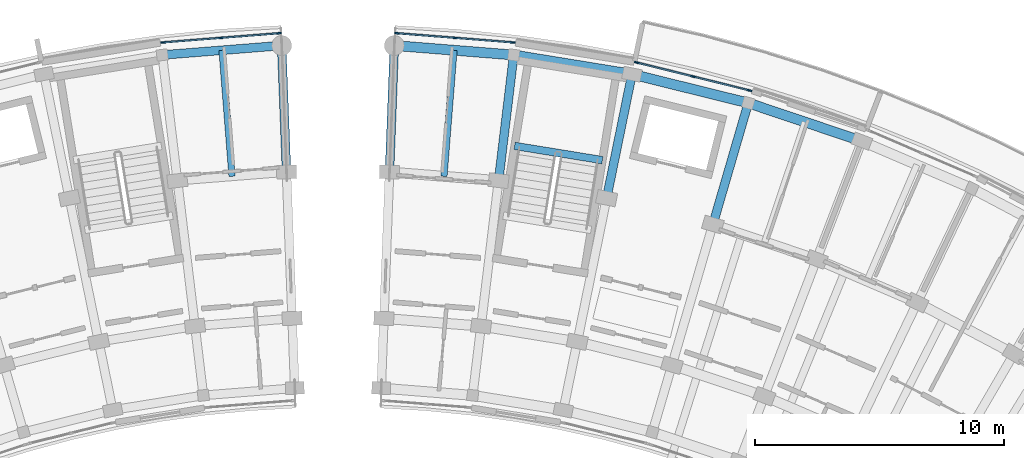
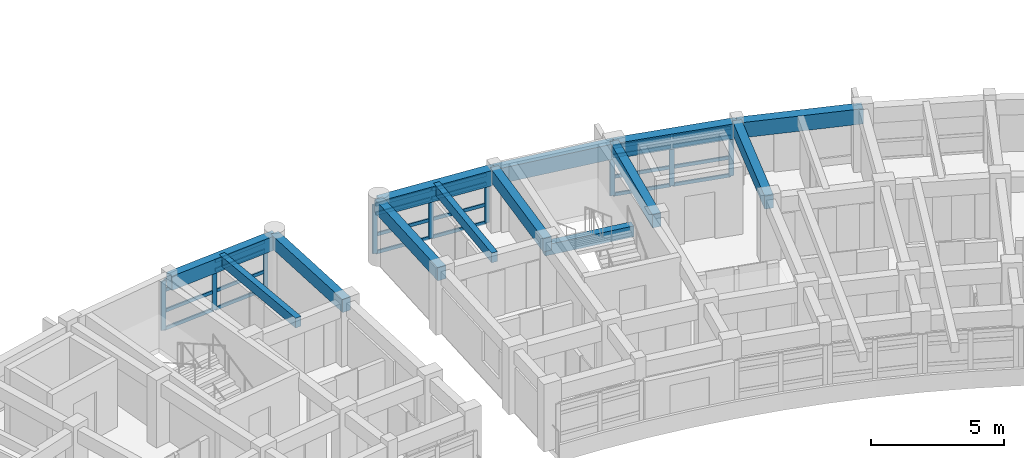
# One storey, part 8 of 55: 33 members, 13 beams, 3 elements without a shape of their own.
"""IFC4 building model written with IfcOpenShell, lengths in metres."""

from ifc_helpers import new_model, si_unit, direction, frame, origin, origin_2d, place, context, subcontext, project, spatial, rectangle, extrude, material, material_profile, profile_set, type_object, element, aggregate, save


model = new_model("IFC4")

# Units and contexts
model_context = context("Model", 3, precision=1e-05, world=origin(), true_north=direction((0.0, 1.0)))
body_context = subcontext(model_context, "Body", "Model", "MODEL_VIEW")
ifc_project = project(units=[si_unit("LENGTHUNIT", "METRE"), si_unit("AREAUNIT", "SQUARE_METRE"), si_unit("VOLUMEUNIT", "CUBIC_METRE"), si_unit("PLANEANGLEUNIT", "RADIAN"), si_unit("MASSUNIT", "GRAM", prefix="KILO")], contexts=[model_context])

# Site, building, storey
site_placement = place(None, origin())
site = spatial("IfcSite", under=ifc_project, at=site_placement, CompositionType="ELEMENT")
building_placement = place(site_placement, origin())
building = spatial("IfcBuilding", under=site, at=building_placement, Name="Zimvara Arc Housing Community", CompositionType="ELEMENT")
storey_placement = place(building_placement, frame((0.0, 0.0, 14.300048828125)))
storey = spatial("IfcBuildingStorey", under=building, at=storey_placement, Name="L04", CompositionType="ELEMENT", Elevation=14.300048828125)

# Beams
ifc_material_1 = material(Name="Concrete C40/50", Category="concrete")
ifc_material_profile_1 = material_profile(ifc_material_1, rectangle(XDim=0.25, YDim=0.449951171875, at=origin_2d()), Name="RC 250x450")
ifc_profile_set_1 = profile_set([ifc_material_profile_1], Name="Concrete C40/50")
beam_type_1 = type_object("IfcBeamType", Name="BM-RC-250x450", PredefinedType="JOIST", material=ifc_profile_set_1)
for number, where, z_axis, x_axis, name in (
    (1, (40.7451171875, 98.08642578125, 2.635009765625), (-0.079171686291, 0.99686099537, 0.0), (-0.99686099537, -0.079171686291, 0.0), "bm:blkA:L04:joist:b9"),
    (2, (49.2548828125, 98.08642578125, 2.635009765625), (0.079171686291, 0.99686099537, 0.0), (-0.99686099537, 0.079171686291, 0.0), "bm:blkB:L04:joist:b0"),
):
    element("IfcBeam", number, at=place(storey_placement, frame(where, z_axis=z_axis, x_axis=x_axis)), inside=storey, type_object=beam_type_1, Name=name, PredefinedType="JOIST", context=body_context, shape_type="SweptSolid", body=[
        extrude(rectangle(XDim=0.25, YDim=0.449951171875, at=origin_2d()), origin(), (0.0, 0.0, 1.0), 5.07568359375),
    ])
ifc_material_2 = material(Name="Concrete C40/50", Category="concrete")
ifc_material_profile_2 = material_profile(ifc_material_2, rectangle(XDim=0.300048828125, YDim=0.5, at=origin_2d()), Name="RC 300x500")
ifc_profile_set_2 = profile_set([ifc_material_profile_2], Name="Concrete C40/50")
beam_type_2 = type_object("IfcBeamType", Name="BM-RC-300x500", PredefinedType="BEAM", material=ifc_profile_set_2)
beam_1_placement = place(storey_placement, frame((55.612060546875, 98.7353515625, 1.300048828125), z_axis=(-0.987080057935, 0.160227835371, 0.0), x_axis=(-0.160227835371, -0.987080057935, 0.0)))
element("IfcBeam", 3, at=beam_1_placement, inside=storey, type_object=beam_type_2, Name="bm:stair_trim:ST-B1:L04:mid", PredefinedType="BEAM", context=body_context, shape_type="SweptSolid", body=[
    extrude(rectangle(XDim=0.300048828125, YDim=0.5, at=origin_2d()), origin(), (0.0, 0.0, 1.0), 3.570068359375),
])
ifc_material_3 = material(Name="Concrete C40/50", Category="concrete")
ifc_material_profile_3 = material_profile(ifc_material_3, rectangle(XDim=0.35009765625, YDim=0.60009765625, at=origin_2d()), Name="RC 350x600")
ifc_profile_set_3 = profile_set([ifc_material_profile_3], Name="Concrete C40/50")
beam_type_3 = type_object("IfcBeamType", Name="BM-RC-350x600", PredefinedType="BEAM", material=ifc_profile_set_3)
for number, where, z_axis, x_axis, name in (
    (4, (42.934814453125, 98.26025390625, 2.56005859375), (-0.038398054907, 0.999262522753, 0.0), (-0.999262522753, -0.038398054907, 0.0), "bm:blkA:L04:rad:b10:r23"),
    (5, (47.065185546875, 98.26025390625, 2.56005859375), (0.038398054907, 0.999262522753, 0.0), (-0.999262522753, 0.038398054907, 0.0), "bm:blkB:L04:rad:b0:r23"),
    (6, (51.44482421875, 97.91259765625, 2.56005859375), (0.119762990499, 0.99280251113, 0.0), (-0.99280251113, 0.119762990499, 0.0), "bm:blkB:L04:rad:b1:r23"),
):
    element("IfcBeam", number, at=place(storey_placement, frame(where, z_axis=z_axis, x_axis=x_axis)), inside=storey, type_object=beam_type_3, Name=name, PredefinedType="BEAM", context=body_context, shape_type="SweptSolid", body=[
        extrude(rectangle(XDim=0.35009765625, YDim=0.60009765625, at=origin_2d()), origin(), (0.0, 0.0, 1.0), 5.080078125),
    ])
for number, where, z_axis, x_axis, name in (
    (7, (55.78125, 97.208740234375, 2.56005859375), (0.200411962389, 0.97971171542, 0.0), (-0.97971171542, 0.200411962389, 0.0), "bm:blkB:L04:rad:b2:r23"),
    (8, (60.0458984375, 96.1533203125, 2.56005859375), (0.279662254096, 0.960098444762, 0.0), (-0.960098444762, 0.279662254096, 0.0), "bm:blkB:L04:rad:b3:r23"),
):
    element("IfcBeam", number, at=place(storey_placement, frame(where, z_axis=z_axis, x_axis=x_axis)), inside=storey, type_object=beam_type_3, Name=name, PredefinedType="BEAM", context=body_context, shape_type="SweptSolid", body=[
        extrude(rectangle(XDim=0.35009765625, YDim=0.60009765625, at=origin_2d()), origin(), (0.0, 0.0, 1.0), 5.079833984375),
    ])
ifc_material_4 = material(Name="Concrete C40/50", Category="concrete")
ifc_material_profile_4 = material_profile(ifc_material_4, rectangle(XDim=0.35009765625, YDim=0.64990234375, at=origin_2d()), Name="RC 350x650")
ifc_profile_set_4 = profile_set([ifc_material_profile_4], Name="Concrete C40/50")
beam_type_4 = type_object("IfcBeamType", Name="BM-RC-350x650", PredefinedType="BEAM", material=ifc_profile_set_4)
beam_2_placement = place(storey_placement, frame((37.94677734375, 102.9560546875, 2.534912109375), z_axis=(0.996861768207, 0.0791619548, 0.0), x_axis=(-0.0791619548, 0.996861768207, 0.0)))
element("IfcBeam", 9, at=beam_2_placement, inside=storey, type_object=beam_type_4, Name="bm:blkA:L04:chord:r3:b9", PredefinedType="BEAM", context=body_context, shape_type="SweptSolid", body=[
    extrude(rectangle(XDim=0.35009765625, YDim=0.64990234375, at=origin_2d()), origin(), (0.0, 0.0, 1.0), 4.80810546875),
])
ifc_material_5 = material(Name="Concrete C40/50", Category="concrete")
ifc_material_profile_5 = material_profile(ifc_material_5, rectangle(XDim=0.39990234375, YDim=0.699951171875, at=origin_2d()), Name="RC 400x700")
ifc_profile_set_5 = profile_set([ifc_material_profile_5], Name="Concrete C40/50")
beam_type_5 = type_object("IfcBeamType", Name="BM-RC-400x700", PredefinedType="BEAM", material=ifc_profile_set_5)
beam_3_placement = place(storey_placement, frame((47.26025390625, 103.336669921875, 2.510009765625), z_axis=(0.996861768207, -0.0791619548, 0.0), x_axis=(0.0791619548, 0.996861768207, 0.0)))
element("IfcBeam", 10, at=beam_3_placement, inside=storey, type_object=beam_type_5, Name="bm:blkB:L04:chord:r3:b0", PredefinedType="BEAM", context=body_context, shape_type="SweptSolid", body=[
    extrude(rectangle(XDim=0.39990234375, YDim=0.699951171875, at=origin_2d()), origin(), (0.0, 0.0, 1.0), 4.80810546875),
])
beam_4_placement = place(storey_placement, frame((52.05322265625, 102.9560546875, 2.510009765625), z_axis=(0.987076839731, -0.160247659784, 0.0), x_axis=(0.160247659784, 0.987076839731, 0.0)))
element("IfcBeam", 11, at=beam_4_placement, inside=storey, type_object=beam_type_5, Name="bm:blkB:L04:chord:r3:b1", PredefinedType="BEAM", context=body_context, shape_type="SweptSolid", body=[
    extrude(rectangle(XDim=0.39990234375, YDim=0.699951171875, at=origin_2d()), origin(), (0.0, 0.0, 1.0), 4.808349609375),
])
beam_5_placement = place(storey_placement, frame((56.79931640625, 102.185546875, 2.510009765625), z_axis=(0.970716235341, -0.240229037474, 0.0), x_axis=(0.240229037474, 0.970716235341, 0.0)))
element("IfcBeam", 12, at=beam_5_placement, inside=storey, type_object=beam_type_5, Name="bm:blkB:L04:chord:r3:b2", PredefinedType="BEAM", context=body_context, shape_type="SweptSolid", body=[
    extrude(rectangle(XDim=0.39990234375, YDim=0.699951171875, at=origin_2d()), origin(), (0.0, 0.0, 1.0), 4.80810546875),
])
beam_6_placement = place(storey_placement, frame((61.466552734375, 101.030517578125, 2.510009765625), z_axis=(0.947877948153, -0.31863363822, 0.0), x_axis=(0.31863363822, 0.947877948153, 0.0)))
element("IfcBeam", 13, at=beam_6_placement, inside=storey, type_object=beam_type_5, Name="bm:blkB:L04:chord:r3:b3", PredefinedType="BEAM", context=body_context, shape_type="SweptSolid", body=[
    extrude(rectangle(XDim=0.39990234375, YDim=0.699951171875, at=origin_2d()), origin(), (0.0, 0.0, 1.0), 4.807861328125),
])

# Curtain wall, members
ifc_material_6 = material(Name="Anodised Aluminium AW-6063", Category="aluminium")
curtain_wall_type_1 = type_object("IfcCurtainWallType", Name="CW-SYS-01", PredefinedType="USERDEFINED", material=ifc_material_6)
curtain_wall_1_placement = place(storey_placement, origin())
curtain_wall_1 = element("IfcCurtainWall", 14, at=curtain_wall_1_placement, inside=storey, type_object=curtain_wall_type_1, Name="cw:blkA:L04:out:b9", ObjectType="CURTAIN WALL", PredefinedType="USERDEFINED")
ifc_material_7 = material(Name="Anodised Aluminium AW-6063", Category="aluminium")
ifc_material_profile_6 = material_profile(ifc_material_7, rectangle(XDim=0.06494140625, YDim=0.195068359375, at=origin_2d()), Name="ALU 65x195")
ifc_profile_set_6 = profile_set([ifc_material_profile_6], Name="Anodised Aluminium AW-6063")
member_type_1 = type_object("IfcMemberType", Name="CWM-65x180", PredefinedType="MULLION", material=ifc_profile_set_6)
member_1_placement = place(storey_placement, frame((37.97900390625, 103.459716796875, 0.0), z_axis=(0.0, 0.0, 1.0), x_axis=(-0.079153759607, 0.996862418963, 0.0)))
member_1 = element("IfcMember", 15, at=member_1_placement, type_object=member_type_1, Name="CW01 mullion 1", PredefinedType="MULLION", context=body_context, shape_type="SweptSolid", body=[
    extrude(rectangle(XDim=0.06494140625, YDim=0.195068359375, at=origin_2d()), origin(), (0.0, 0.0, 1.0), 2.25),
])
member_2_placement = place(storey_placement, frame((40.3037109375, 103.644287109375, 0.0), z_axis=(0.0, 0.0, 1.0), x_axis=(-0.079153759607, 0.996862418963, 0.0)))
member_2 = element("IfcMember", 16, at=member_2_placement, type_object=member_type_1, Name="CW01 mullion 2", PredefinedType="MULLION", context=body_context, shape_type="SweptSolid", body=[
    extrude(rectangle(XDim=0.06494140625, YDim=0.195068359375, at=origin_2d()), origin(), (0.0, 0.0, 1.0), 2.25),
])
member_3_placement = place(storey_placement, frame((42.62841796875, 103.828857421875, 0.0), z_axis=(0.0, 0.0, 1.0), x_axis=(-0.079153759607, 0.996862418963, 0.0)))
member_3 = element("IfcMember", 17, at=member_3_placement, type_object=member_type_1, Name="CW01 mullion 3", PredefinedType="MULLION", context=body_context, shape_type="SweptSolid", body=[
    extrude(rectangle(XDim=0.06494140625, YDim=0.195068359375, at=origin_2d()), origin(), (0.0, 0.0, 1.0), 2.25),
])

ifc_material_8 = material(Name="Anodised Aluminium AW-6063", Category="aluminium")
curtain_wall_type_2 = type_object("IfcCurtainWallType", Name="CW-SYS-05", PredefinedType="USERDEFINED", material=ifc_material_8)
curtain_wall_2_placement = place(storey_placement, origin())
curtain_wall_2 = element("IfcCurtainWall", 18, at=curtain_wall_2_placement, inside=storey, type_object=curtain_wall_type_2, Name="cw:blkB:L04:out:b0", ObjectType="CURTAIN WALL", PredefinedType="USERDEFINED")
member_4_placement = place(storey_placement, frame((47.37158203125, 103.828857421875, 0.0), z_axis=(0.0, 0.0, 1.0), x_axis=(0.079153759607, 0.996862418963, 0.0)))
member_4 = element("IfcMember", 19, at=member_4_placement, type_object=member_type_1, Name="CW05 mullion 1", PredefinedType="MULLION", context=body_context, shape_type="SweptSolid", body=[
    extrude(rectangle(XDim=0.06494140625, YDim=0.195068359375, at=origin_2d()), origin(), (0.0, 0.0, 1.0), 2.25),
])
member_5_placement = place(storey_placement, frame((49.6962890625, 103.644287109375, 0.0), z_axis=(0.0, 0.0, 1.0), x_axis=(0.079153759607, 0.996862418963, 0.0)))
member_5 = element("IfcMember", 20, at=member_5_placement, type_object=member_type_1, Name="CW05 mullion 2", PredefinedType="MULLION", context=body_context, shape_type="SweptSolid", body=[
    extrude(rectangle(XDim=0.06494140625, YDim=0.195068359375, at=origin_2d()), origin(), (0.0, 0.0, 1.0), 2.25),
])
member_6_placement = place(storey_placement, frame((52.02099609375, 103.459716796875, 0.0), z_axis=(0.0, 0.0, 1.0), x_axis=(0.079153759607, 0.996862418963, 0.0)))
member_6 = element("IfcMember", 21, at=member_6_placement, type_object=member_type_1, Name="CW05 mullion 3", PredefinedType="MULLION", context=body_context, shape_type="SweptSolid", body=[
    extrude(rectangle(XDim=0.06494140625, YDim=0.195068359375, at=origin_2d()), origin(), (0.0, 0.0, 1.0), 2.25),
])

ifc_material_9 = material(Name="Anodised Aluminium AW-6063", Category="aluminium")
curtain_wall_type_3 = type_object("IfcCurtainWallType", Name="CW-SYS-07", PredefinedType="USERDEFINED", material=ifc_material_9)
curtain_wall_3_placement = place(storey_placement, origin())
curtain_wall_3 = element("IfcCurtainWall", 22, at=curtain_wall_3_placement, inside=storey, type_object=curtain_wall_type_3, Name="cw:blkB:L04:out:b2", ObjectType="CURTAIN WALL", PredefinedType="USERDEFINED")
member_7_placement = place(storey_placement, frame((56.9892578125, 102.6533203125, 0.0), z_axis=(0.0, 0.0, 1.0), x_axis=(0.240229711131, 0.970716068627, 0.0)))
member_7 = element("IfcMember", 23, at=member_7_placement, type_object=member_type_1, Name="CW07 mullion 1", PredefinedType="MULLION", context=body_context, shape_type="SweptSolid", body=[
    extrude(rectangle(XDim=0.06494140625, YDim=0.195068359375, at=origin_2d()), origin(), (0.0, 0.0, 1.0), 2.25),
])
member_8_placement = place(storey_placement, frame((59.2529296875, 102.093017578125, 0.0), z_axis=(0.0, 0.0, 1.0), x_axis=(0.240229711131, 0.970716068627, 0.0)))
member_8 = element("IfcMember", 24, at=member_8_placement, type_object=member_type_1, Name="CW07 mullion 2", PredefinedType="MULLION", context=body_context, shape_type="SweptSolid", body=[
    extrude(rectangle(XDim=0.06494140625, YDim=0.195068359375, at=origin_2d()), origin(), (0.0, 0.0, 1.0), 2.25),
])
member_9_placement = place(storey_placement, frame((61.5166015625, 101.532958984375, 0.0), z_axis=(0.0, 0.0, 1.0), x_axis=(0.240229711131, 0.970716068627, 0.0)))
member_9 = element("IfcMember", 25, at=member_9_placement, type_object=member_type_1, Name="CW07 mullion 3", PredefinedType="MULLION", context=body_context, shape_type="SweptSolid", body=[
    extrude(rectangle(XDim=0.06494140625, YDim=0.195068359375, at=origin_2d()), origin(), (0.0, 0.0, 1.0), 2.25),
])

# Member
ifc_material_10 = material(Name="Anodised Aluminium AW-6063", Category="aluminium")
ifc_material_profile_7 = material_profile(ifc_material_10, rectangle(XDim=0.06494140625, YDim=0.155029296875, at=origin_2d()), Name="ALU 65x155")
ifc_profile_set_7 = profile_set([ifc_material_profile_7], Name="Anodised Aluminium AW-6063")
member_type_2 = type_object("IfcMemberType", Name="CWT-65x140", PredefinedType="USERDEFINED", material=ifc_profile_set_7)
member_10_placement = place(storey_placement, frame((38.011474609375, 103.46240234375, 0.032470703125), z_axis=(0.996862021022, 0.079158771116, 0.0), x_axis=(-0.079158771116, 0.996862021022, 0.0)))
member_10 = element("IfcMember", 26, at=member_10_placement, type_object=member_type_2, Name="CW01 transom 1.1", ObjectType="TRANSOM", PredefinedType="USERDEFINED", context=body_context, shape_type="SweptSolid", body=[
    extrude(rectangle(XDim=0.06494140625, YDim=0.155029296875, at=origin_2d()), origin(), (0.0, 0.0, 1.0), 2.266845703125),
])

member_11_placement = place(storey_placement, frame((38.011474609375, 103.46240234375, 0.849853515625), z_axis=(0.996862021022, 0.079158771116, 0.0), x_axis=(-0.079158771116, 0.996862021022, 0.0)))
member_11 = element("IfcMember", 27, at=member_11_placement, type_object=member_type_2, Name="CW01 transom 1.2", ObjectType="TRANSOM", PredefinedType="USERDEFINED", context=body_context, shape_type="SweptSolid", body=[
    extrude(rectangle(XDim=0.06494140625, YDim=0.155029296875, at=origin_2d()), origin(), (0.0, 0.0, 1.0), 2.266845703125),
])

member_12_placement = place(storey_placement, frame((38.011474609375, 103.46240234375, 1.800048828125), z_axis=(0.996862021022, 0.079158771116, 0.0), x_axis=(-0.079158771116, 0.996862021022, 0.0)))
member_12 = element("IfcMember", 28, at=member_12_placement, type_object=member_type_2, Name="CW01 transom 1.3", ObjectType="TRANSOM", PredefinedType="USERDEFINED", context=body_context, shape_type="SweptSolid", body=[
    extrude(rectangle(XDim=0.06494140625, YDim=0.155029296875, at=origin_2d()), origin(), (0.0, 0.0, 1.0), 2.266845703125),
])

member_13_placement = place(storey_placement, frame((38.011474609375, 103.46240234375, 2.217529296875), z_axis=(0.996862021022, 0.079158771116, 0.0), x_axis=(-0.079158771116, 0.996862021022, 0.0)))
member_13 = element("IfcMember", 29, at=member_13_placement, type_object=member_type_2, Name="CW01 transom 1.4", ObjectType="TRANSOM", PredefinedType="USERDEFINED", context=body_context, shape_type="SweptSolid", body=[
    extrude(rectangle(XDim=0.06494140625, YDim=0.155029296875, at=origin_2d()), origin(), (0.0, 0.0, 1.0), 2.266845703125),
])

member_14_placement = place(storey_placement, frame((40.336181640625, 103.64697265625, 0.032470703125), z_axis=(0.996862021022, 0.079158771116, 0.0), x_axis=(-0.079158771116, 0.996862021022, 0.0)))
member_14 = element("IfcMember", 30, at=member_14_placement, type_object=member_type_2, Name="CW01 transom 2.1", ObjectType="TRANSOM", PredefinedType="USERDEFINED", context=body_context, shape_type="SweptSolid", body=[
    extrude(rectangle(XDim=0.06494140625, YDim=0.155029296875, at=origin_2d()), origin(), (0.0, 0.0, 1.0), 2.266845703125),
])

member_15_placement = place(storey_placement, frame((40.336181640625, 103.64697265625, 0.849853515625), z_axis=(0.996862021022, 0.079158771116, 0.0), x_axis=(-0.079158771116, 0.996862021022, 0.0)))
member_15 = element("IfcMember", 31, at=member_15_placement, type_object=member_type_2, Name="CW01 transom 2.2", ObjectType="TRANSOM", PredefinedType="USERDEFINED", context=body_context, shape_type="SweptSolid", body=[
    extrude(rectangle(XDim=0.06494140625, YDim=0.155029296875, at=origin_2d()), origin(), (0.0, 0.0, 1.0), 2.266845703125),
])

member_16_placement = place(storey_placement, frame((40.336181640625, 103.64697265625, 1.800048828125), z_axis=(0.996862021022, 0.079158771116, 0.0), x_axis=(-0.079158771116, 0.996862021022, 0.0)))
member_16 = element("IfcMember", 32, at=member_16_placement, type_object=member_type_2, Name="CW01 transom 2.3", ObjectType="TRANSOM", PredefinedType="USERDEFINED", context=body_context, shape_type="SweptSolid", body=[
    extrude(rectangle(XDim=0.06494140625, YDim=0.155029296875, at=origin_2d()), origin(), (0.0, 0.0, 1.0), 2.266845703125),
])

member_17_placement = place(storey_placement, frame((40.336181640625, 103.64697265625, 2.217529296875), z_axis=(0.996862021022, 0.079158771116, 0.0), x_axis=(-0.079158771116, 0.996862021022, 0.0)))
member_17 = element("IfcMember", 33, at=member_17_placement, type_object=member_type_2, Name="CW01 transom 2.4", ObjectType="TRANSOM", PredefinedType="USERDEFINED", context=body_context, shape_type="SweptSolid", body=[
    extrude(rectangle(XDim=0.06494140625, YDim=0.155029296875, at=origin_2d()), origin(), (0.0, 0.0, 1.0), 2.266845703125),
])

aggregate(curtain_wall_1, [member_1, member_2, member_3, member_10, member_11, member_12, member_13, member_14, member_15, member_16, member_17])

member_18_placement = place(storey_placement, frame((47.404052734375, 103.826416015625, 0.032470703125), z_axis=(0.996862021022, -0.079158771116, 0.0), x_axis=(0.079158771116, 0.996862021022, 0.0)))
member_18 = element("IfcMember", 34, at=member_18_placement, type_object=member_type_2, Name="CW05 transom 1.1", ObjectType="TRANSOM", PredefinedType="USERDEFINED", context=body_context, shape_type="SweptSolid", body=[
    extrude(rectangle(XDim=0.06494140625, YDim=0.155029296875, at=origin_2d()), origin(), (0.0, 0.0, 1.0), 2.266845703125),
])

member_19_placement = place(storey_placement, frame((47.404052734375, 103.826416015625, 0.849853515625), z_axis=(0.996862021022, -0.079158771116, 0.0), x_axis=(0.079158771116, 0.996862021022, 0.0)))
member_19 = element("IfcMember", 35, at=member_19_placement, type_object=member_type_2, Name="CW05 transom 1.2", ObjectType="TRANSOM", PredefinedType="USERDEFINED", context=body_context, shape_type="SweptSolid", body=[
    extrude(rectangle(XDim=0.06494140625, YDim=0.155029296875, at=origin_2d()), origin(), (0.0, 0.0, 1.0), 2.266845703125),
])

member_20_placement = place(storey_placement, frame((47.404052734375, 103.826416015625, 1.800048828125), z_axis=(0.996862021022, -0.079158771116, 0.0), x_axis=(0.079158771116, 0.996862021022, 0.0)))
member_20 = element("IfcMember", 36, at=member_20_placement, type_object=member_type_2, Name="CW05 transom 1.3", ObjectType="TRANSOM", PredefinedType="USERDEFINED", context=body_context, shape_type="SweptSolid", body=[
    extrude(rectangle(XDim=0.06494140625, YDim=0.155029296875, at=origin_2d()), origin(), (0.0, 0.0, 1.0), 2.266845703125),
])

member_21_placement = place(storey_placement, frame((47.404052734375, 103.826416015625, 2.217529296875), z_axis=(0.996862021022, -0.079158771116, 0.0), x_axis=(0.079158771116, 0.996862021022, 0.0)))
member_21 = element("IfcMember", 37, at=member_21_placement, type_object=member_type_2, Name="CW05 transom 1.4", ObjectType="TRANSOM", PredefinedType="USERDEFINED", context=body_context, shape_type="SweptSolid", body=[
    extrude(rectangle(XDim=0.06494140625, YDim=0.155029296875, at=origin_2d()), origin(), (0.0, 0.0, 1.0), 2.266845703125),
])

member_22_placement = place(storey_placement, frame((49.728759765625, 103.641845703125, 0.032470703125), z_axis=(0.996862021022, -0.079158771116, 0.0), x_axis=(0.079158771116, 0.996862021022, 0.0)))
member_22 = element("IfcMember", 38, at=member_22_placement, type_object=member_type_2, Name="CW05 transom 2.1", ObjectType="TRANSOM", PredefinedType="USERDEFINED", context=body_context, shape_type="SweptSolid", body=[
    extrude(rectangle(XDim=0.06494140625, YDim=0.155029296875, at=origin_2d()), origin(), (0.0, 0.0, 1.0), 2.266845703125),
])

member_23_placement = place(storey_placement, frame((49.728759765625, 103.641845703125, 0.849853515625), z_axis=(0.996862021022, -0.079158771116, 0.0), x_axis=(0.079158771116, 0.996862021022, 0.0)))
member_23 = element("IfcMember", 39, at=member_23_placement, type_object=member_type_2, Name="CW05 transom 2.2", ObjectType="TRANSOM", PredefinedType="USERDEFINED", context=body_context, shape_type="SweptSolid", body=[
    extrude(rectangle(XDim=0.06494140625, YDim=0.155029296875, at=origin_2d()), origin(), (0.0, 0.0, 1.0), 2.266845703125),
])

member_24_placement = place(storey_placement, frame((49.728759765625, 103.641845703125, 1.800048828125), z_axis=(0.996862021022, -0.079158771116, 0.0), x_axis=(0.079158771116, 0.996862021022, 0.0)))
member_24 = element("IfcMember", 40, at=member_24_placement, type_object=member_type_2, Name="CW05 transom 2.3", ObjectType="TRANSOM", PredefinedType="USERDEFINED", context=body_context, shape_type="SweptSolid", body=[
    extrude(rectangle(XDim=0.06494140625, YDim=0.155029296875, at=origin_2d()), origin(), (0.0, 0.0, 1.0), 2.266845703125),
])

member_25_placement = place(storey_placement, frame((49.728759765625, 103.641845703125, 2.217529296875), z_axis=(0.996862021022, -0.079158771116, 0.0), x_axis=(0.079158771116, 0.996862021022, 0.0)))
member_25 = element("IfcMember", 41, at=member_25_placement, type_object=member_type_2, Name="CW05 transom 2.4", ObjectType="TRANSOM", PredefinedType="USERDEFINED", context=body_context, shape_type="SweptSolid", body=[
    extrude(rectangle(XDim=0.06494140625, YDim=0.155029296875, at=origin_2d()), origin(), (0.0, 0.0, 1.0), 2.266845703125),
])

aggregate(curtain_wall_2, [member_4, member_5, member_6, member_18, member_19, member_20, member_21, member_22, member_23, member_24, member_25])

member_26_placement = place(storey_placement, frame((57.020751953125, 102.6455078125, 0.032470703125), z_axis=(0.970703721793, -0.240279596507, 0.0), x_axis=(0.240279596507, 0.970703721793, 0.0)))
member_26 = element("IfcMember", 42, at=member_26_placement, type_object=member_type_2, Name="CW07 transom 1.1", ObjectType="TRANSOM", PredefinedType="USERDEFINED", context=body_context, shape_type="SweptSolid", body=[
    extrude(rectangle(XDim=0.06494140625, YDim=0.155029296875, at=origin_2d()), origin(), (0.0, 0.0, 1.0), 2.266845703125),
])

member_27_placement = place(storey_placement, frame((57.020751953125, 102.6455078125, 0.849853515625), z_axis=(0.970703721793, -0.240279596507, 0.0), x_axis=(0.240279596507, 0.970703721793, 0.0)))
member_27 = element("IfcMember", 43, at=member_27_placement, type_object=member_type_2, Name="CW07 transom 1.2", ObjectType="TRANSOM", PredefinedType="USERDEFINED", context=body_context, shape_type="SweptSolid", body=[
    extrude(rectangle(XDim=0.06494140625, YDim=0.155029296875, at=origin_2d()), origin(), (0.0, 0.0, 1.0), 2.266845703125),
])

member_28_placement = place(storey_placement, frame((57.020751953125, 102.6455078125, 1.800048828125), z_axis=(0.970703721793, -0.240279596507, 0.0), x_axis=(0.240279596507, 0.970703721793, 0.0)))
member_28 = element("IfcMember", 44, at=member_28_placement, type_object=member_type_2, Name="CW07 transom 1.3", ObjectType="TRANSOM", PredefinedType="USERDEFINED", context=body_context, shape_type="SweptSolid", body=[
    extrude(rectangle(XDim=0.06494140625, YDim=0.155029296875, at=origin_2d()), origin(), (0.0, 0.0, 1.0), 2.266845703125),
])

member_29_placement = place(storey_placement, frame((57.020751953125, 102.6455078125, 2.217529296875), z_axis=(0.970703721793, -0.240279596507, 0.0), x_axis=(0.240279596507, 0.970703721793, 0.0)))
member_29 = element("IfcMember", 45, at=member_29_placement, type_object=member_type_2, Name="CW07 transom 1.4", ObjectType="TRANSOM", PredefinedType="USERDEFINED", context=body_context, shape_type="SweptSolid", body=[
    extrude(rectangle(XDim=0.06494140625, YDim=0.155029296875, at=origin_2d()), origin(), (0.0, 0.0, 1.0), 2.266845703125),
])

member_30_placement = place(storey_placement, frame((59.284423828125, 102.085205078125, 0.032470703125), z_axis=(0.970728837212, -0.240178110172, 0.0), x_axis=(0.240178110172, 0.970728837212, 0.0)))
member_30 = element("IfcMember", 46, at=member_30_placement, type_object=member_type_2, Name="CW07 transom 2.1", ObjectType="TRANSOM", PredefinedType="USERDEFINED", context=body_context, shape_type="SweptSolid", body=[
    extrude(rectangle(XDim=0.06494140625, YDim=0.155029296875, at=origin_2d()), origin(), (0.0, 0.0, 1.0), 2.266845703125),
])

member_31_placement = place(storey_placement, frame((59.284423828125, 102.085205078125, 0.849853515625), z_axis=(0.970728837212, -0.240178110172, 0.0), x_axis=(0.240178110172, 0.970728837212, 0.0)))
member_31 = element("IfcMember", 47, at=member_31_placement, type_object=member_type_2, Name="CW07 transom 2.2", ObjectType="TRANSOM", PredefinedType="USERDEFINED", context=body_context, shape_type="SweptSolid", body=[
    extrude(rectangle(XDim=0.06494140625, YDim=0.155029296875, at=origin_2d()), origin(), (0.0, 0.0, 1.0), 2.266845703125),
])

member_32_placement = place(storey_placement, frame((59.284423828125, 102.085205078125, 1.800048828125), z_axis=(0.970728837212, -0.240178110172, 0.0), x_axis=(0.240178110172, 0.970728837212, 0.0)))
member_32 = element("IfcMember", 48, at=member_32_placement, type_object=member_type_2, Name="CW07 transom 2.3", ObjectType="TRANSOM", PredefinedType="USERDEFINED", context=body_context, shape_type="SweptSolid", body=[
    extrude(rectangle(XDim=0.06494140625, YDim=0.155029296875, at=origin_2d()), origin(), (0.0, 0.0, 1.0), 2.266845703125),
])

member_33_placement = place(storey_placement, frame((59.284423828125, 102.085205078125, 2.217529296875), z_axis=(0.970728837212, -0.240178110172, 0.0), x_axis=(0.240178110172, 0.970728837212, 0.0)))
member_33 = element("IfcMember", 49, at=member_33_placement, type_object=member_type_2, Name="CW07 transom 2.4", ObjectType="TRANSOM", PredefinedType="USERDEFINED", context=body_context, shape_type="SweptSolid", body=[
    extrude(rectangle(XDim=0.06494140625, YDim=0.155029296875, at=origin_2d()), origin(), (0.0, 0.0, 1.0), 2.266845703125),
])

aggregate(curtain_wall_3, [member_7, member_8, member_9, member_26, member_27, member_28, member_29, member_30, member_31, member_32, member_33])

save(model, "model.ifc")
